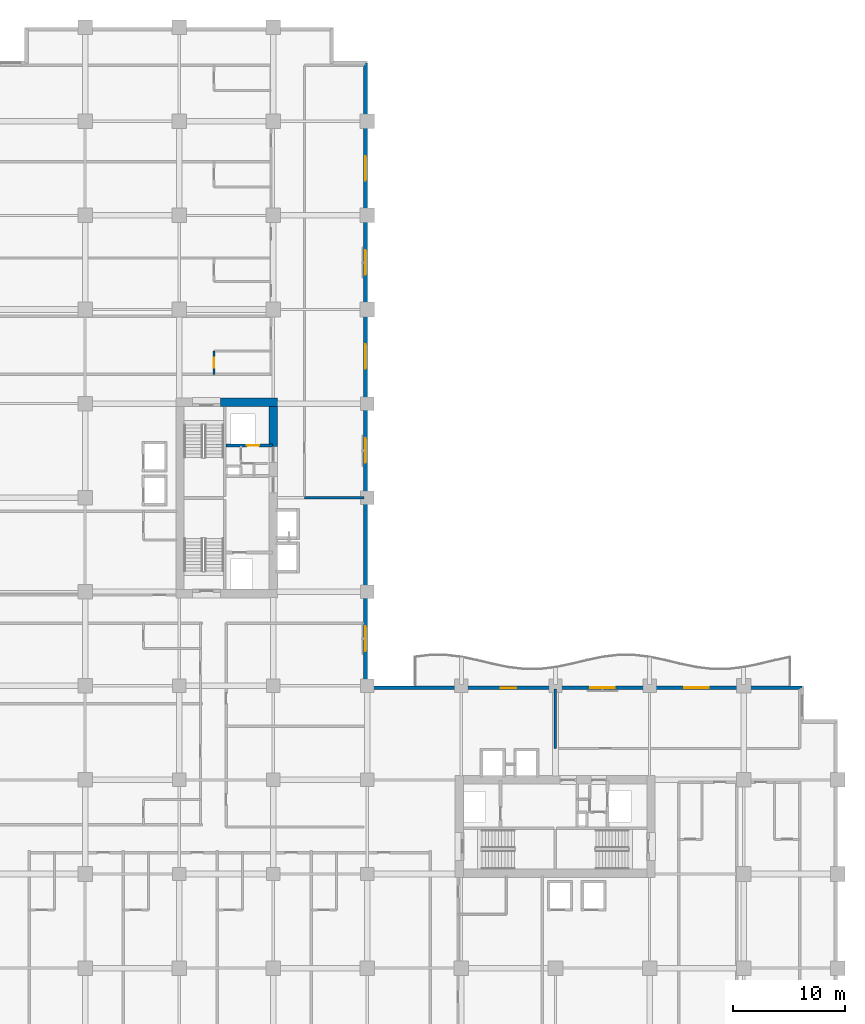
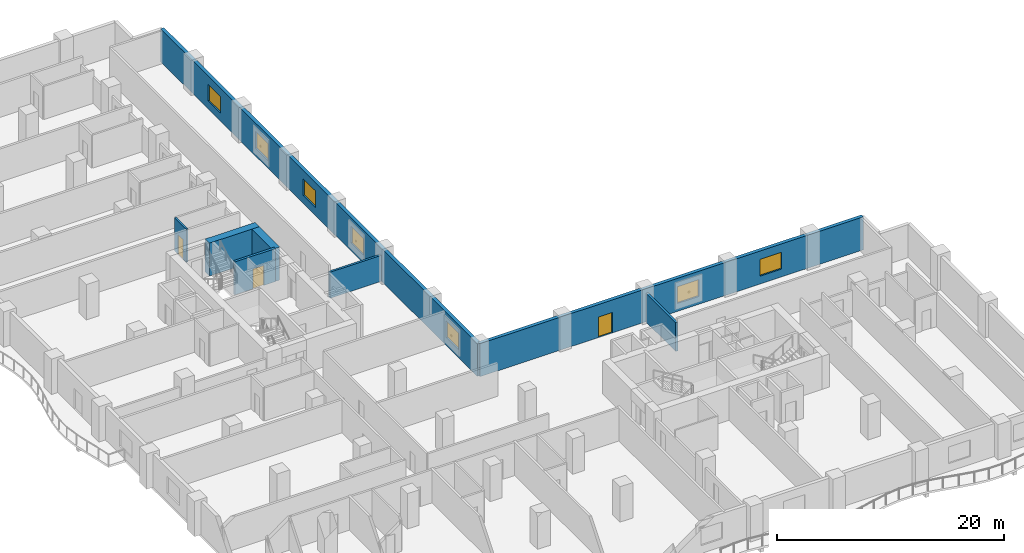
# One storey, part 9 of 18: 8 walls, 7 windows, 3 doors, 10 openings.
"""IFC4 building model written with IfcOpenShell, lengths in metres."""

from ifc_helpers import new_model, si_unit, direction, frame, frame_2d, origin, place, context, subcontext, project, spatial, rectangle, extrude, material, layer, layer_set, type_object, element, fill, save


model = new_model("IFC4")

# Units and contexts
model_context = context("Model", 3, precision=1e-05, world=origin(), true_north=direction((0.0, 1.0)))
body_context = subcontext(model_context, "Body", "Model", "MODEL_VIEW")
ifc_project = project(units=[si_unit("LENGTHUNIT", "METRE"), si_unit("AREAUNIT", "SQUARE_METRE"), si_unit("VOLUMEUNIT", "CUBIC_METRE"), si_unit("PLANEANGLEUNIT", "RADIAN"), si_unit("MASSUNIT", "GRAM", prefix="KILO")], contexts=[model_context])

# Site, building, storey
site_placement = place(None, origin())
site = spatial("IfcSite", under=ifc_project, at=site_placement, CompositionType="ELEMENT")
building_placement = place(site_placement, origin())
building = spatial("IfcBuilding", under=site, at=building_placement, Name="Koriwani Terraces Tower", CompositionType="ELEMENT")
storey_placement = place(building_placement, frame((0.0, 0.0, 100.0)))
storey = spatial("IfcBuildingStorey", under=building, at=storey_placement, Name="L23", CompositionType="ELEMENT", Elevation=100.0)

# Walls
ifc_material_1 = material(Name="Concrete C60/75", Category="concrete")
ifc_layer_1 = layer(ifc_material_1, 0.75, Name="Concrete C60/75")
ifc_layer_set_1 = layer_set([ifc_layer_1], Name="Concrete C60/75")
wall_type_1 = type_object("IfcWallType", Name="WALL_CORE_RC_750", PredefinedType="SHEAR", material=ifc_layer_set_1)
wall_1_placement = place(storey_placement, frame((20.5, 58.925048828125, 0.0), z_axis=(0.0, 0.0, 1.0), x_axis=(1.0, 0.0, 0.0)))
element("IfcWall", 1, at=wall_1_placement, inside=storey, type_object=wall_type_1, Name="L23 West Split Core Shear Wall N2", PredefinedType="SHEAR", context=body_context, shape_type="SweptSolid", body=[
    extrude(rectangle(XDim=5.074951171875, YDim=0.75, at=frame_2d((2.53759765625, 0.0))), origin(), (0.0, 0.0, 1.0), 3.550048828125),
])
wall_2_placement = place(storey_placement, frame((25.199951171875, 54.949951171875, 0.0), z_axis=(0.0, 0.0, 1.0), x_axis=(0.0, 1.0, 0.0)))
element("IfcWall", 2, at=wall_2_placement, inside=storey, type_object=wall_type_1, Name="L23 West Split Core Shear Wall E3", PredefinedType="SHEAR", context=body_context, shape_type="SweptSolid", body=[
    extrude(rectangle(XDim=3.60009765625, YDim=0.75, at=frame_2d((1.800048828125, 0.0))), origin(), (0.0, 0.0, 1.0), 3.550048828125),
])
ifc_material_2 = material(Name="Autoclaved Cellular Concrete Blockwork", Category="masonry")
ifc_layer_2 = layer(ifc_material_2, 0.219970703125, Name="Autoclaved Cellular Concrete Blockwork")
ifc_layer_set_2 = layer_set([ifc_layer_2], Name="Autoclaved Cellular Concrete Blockwork")
wall_type_2 = type_object("IfcWallType", Name="WALL_DEMISING_220", PredefinedType="PARTITIONING", material=ifc_layer_set_2)
wall_3_placement = place(storey_placement, frame((28.0, 50.39990234375, 0.0), z_axis=(0.0, 0.0, 1.0), x_axis=(1.0, 0.0, 0.0)))
element("IfcWall", 3, at=wall_3_placement, inside=storey, type_object=wall_type_2, Name="L23 Interior Wall WNEC-S-L23", PredefinedType="PARTITIONING", context=body_context, shape_type="SweptSolid", body=[
    extrude(rectangle(XDim=5.300048828125, YDim=0.219970703125, at=frame_2d((2.64990234375, 0.0))), origin(), (0.0, 0.0, 1.0), 2.800048828125),
])
wall_4_placement = place(storey_placement, frame((50.39990234375, 28.0, 0.0), z_axis=(0.0, 0.0, 1.0), x_axis=(0.0, 1.0, 0.0)))
element("IfcWall", 4, at=wall_4_placement, inside=storey, type_object=wall_type_2, Name="L23 Interior Wall WSEC-W-L23", PredefinedType="PARTITIONING", context=body_context, shape_type="SweptSolid", body=[
    extrude(rectangle(XDim=5.300048828125, YDim=0.219970703125, at=frame_2d((2.64990234375, 0.0))), origin(), (0.0, 0.0, 1.0), 3.0869140625),
])

# Wall, openings, windows
ifc_material_3 = material(Name="Concrete C50/60", Category="concrete")
ifc_layer_3 = layer(ifc_material_3, 0.35009765625, Name="Concrete C50/60")
ifc_layer_set_3 = layer_set([ifc_layer_3], Name="Concrete C50/60")
wall_type_3 = type_object("IfcWallType", Name="WALL_EXT_BRUTALIST_350", PredefinedType="STANDARD", material=ifc_layer_set_3)
wall_5_placement = place(storey_placement, frame((33.425048828125, 89.22509765625, 0.0), z_axis=(0.0, 0.0, 1.0), x_axis=(0.0, -1.0, 0.0)))
wall_5 = element("IfcWall", 5, at=wall_5_placement, inside=storey, type_object=wall_type_3, Name="L23 Fair-Faced Brutalist Exterior Wall (NW_IN)", PredefinedType="STANDARD", context=body_context, shape_type="SweptSolid", body=[
    extrude(rectangle(XDim=55.800048828125, YDim=0.35009765625, at=frame_2d((27.89990234375, 0.0))), origin(), (0.0, 0.0, 1.0), 3.550048828125),
])
opening_1_placement = place(wall_5_placement, frame((50.324951171875, 0.0, 0.85009765625)))
opening_1 = element("IfcOpeningElement", 6, at=opening_1_placement, cuts=wall_5, Name="Opening W-01", PredefinedType="OPENING", context=body_context, shape_type="SweptSolid", body=[
    extrude(rectangle(XDim=2.199951171875, YDim=1.800048828125, at=frame_2d((1.10009765625, 0.89990234375))), frame((0.0, 0.18505859375, 0.0), z_axis=(0.0, -1.0, 0.0), x_axis=(1.0, 0.0, 0.0)), (0.0, 0.0, 1.0), 0.3701171875),
])
opening_2_placement = place(wall_5_placement, frame((33.52490234375, 0.0, 0.85009765625)))
opening_2 = element("IfcOpeningElement", 7, at=opening_2_placement, cuts=wall_5, Name="Opening W-01", PredefinedType="OPENING", context=body_context, shape_type="SweptSolid", body=[
    extrude(rectangle(XDim=2.199951171875, YDim=1.800048828125, at=frame_2d((1.10009765625, 0.89990234375))), frame((0.0, 0.18505859375, 0.0), z_axis=(0.0, -1.0, 0.0), x_axis=(1.0, 0.0, 0.0)), (0.0, 0.0, 1.0), 0.3701171875),
])
opening_3_placement = place(wall_5_placement, frame((25.125, 0.0, 0.85009765625)))
opening_3 = element("IfcOpeningElement", 8, at=opening_3_placement, cuts=wall_5, Name="Opening W-01", PredefinedType="OPENING", context=body_context, shape_type="SweptSolid", body=[
    extrude(rectangle(XDim=2.199951171875, YDim=1.800048828125, at=frame_2d((1.10009765625, 0.89990234375))), frame((0.0, 0.18505859375, 0.0), z_axis=(0.0, -1.0, 0.0), x_axis=(1.0, 0.0, 0.0)), (0.0, 0.0, 1.0), 0.3701171875),
])
opening_4_placement = place(wall_5_placement, frame((16.72509765625, 0.0, 0.85009765625)))
opening_4 = element("IfcOpeningElement", 9, at=opening_4_placement, cuts=wall_5, Name="Opening W-01", PredefinedType="OPENING", context=body_context, shape_type="SweptSolid", body=[
    extrude(rectangle(XDim=2.199951171875, YDim=1.800048828125, at=frame_2d((1.10009765625, 0.89990234375))), frame((0.0, 0.18505859375, 0.0), z_axis=(0.0, -1.0, 0.0), x_axis=(1.0, 0.0, 0.0)), (0.0, 0.0, 1.0), 0.3701171875),
])
opening_5_placement = place(wall_5_placement, frame((8.324951171875, 0.0, 0.85009765625)))
opening_5 = element("IfcOpeningElement", 10, at=opening_5_placement, cuts=wall_5, Name="Opening W-01", PredefinedType="OPENING", context=body_context, shape_type="SweptSolid", body=[
    extrude(rectangle(XDim=2.199951171875, YDim=1.800048828125, at=frame_2d((1.10009765625, 0.89990234375))), frame((0.0, 0.18505859375, 0.0), z_axis=(0.0, -1.0, 0.0), x_axis=(1.0, 0.0, 0.0)), (0.0, 0.0, 1.0), 0.3701171875),
])
ifc_material_4 = material(Name="Tempered Laminated Low-E Glass", Category="glass")
window_type = type_object("IfcWindowType", Name="WIN_HOTEL_STD_2200X1800", PartitioningType="DOUBLE_PANEL_VERTICAL", PredefinedType="WINDOW", material=ifc_material_4)
window_1_placement = place(opening_1_placement, origin())
window_1 = element("IfcWindow", 11, at=window_1_placement, inside=storey, type_object=window_type, Name="L23 Exterior Window (NW_IN-2)", OverallHeight=1.800048828125, OverallWidth=2.199951171875, PartitioningType="SINGLE_PANEL", PredefinedType="WINDOW", context=body_context, shape_type="SweptSolid", body=[
    extrude(rectangle(XDim=2.199951171875, YDim=1.800048828125, at=frame_2d((1.10009765625, 0.89990234375))), frame((0.0, 0.030029296875, 0.0), z_axis=(0.0, -1.0, 0.0), x_axis=(1.0, 0.0, 0.0)), (0.0, 0.0, 1.0), 0.06005859375),
])
fill(opening_1, window_1)
window_2_placement = place(opening_2_placement, origin())
window_2 = element("IfcWindow", 12, at=window_2_placement, inside=storey, type_object=window_type, Name="L23 Exterior Window (NW_IN-8)", OverallHeight=1.800048828125, OverallWidth=2.199951171875, PartitioningType="SINGLE_PANEL", PredefinedType="WINDOW", context=body_context, shape_type="SweptSolid", body=[
    extrude(rectangle(XDim=2.199951171875, YDim=1.800048828125, at=frame_2d((1.10009765625, 0.89990234375))), frame((0.0, 0.030029296875, 0.0), z_axis=(0.0, -1.0, 0.0), x_axis=(1.0, 0.0, 0.0)), (0.0, 0.0, 1.0), 0.06005859375),
])
fill(opening_2, window_2)
window_3_placement = place(opening_3_placement, origin())
window_3 = element("IfcWindow", 13, at=window_3_placement, inside=storey, type_object=window_type, Name="L23 Exterior Window (NW_IN-11)", OverallHeight=1.800048828125, OverallWidth=2.199951171875, PartitioningType="SINGLE_PANEL", PredefinedType="WINDOW", context=body_context, shape_type="SweptSolid", body=[
    extrude(rectangle(XDim=2.199951171875, YDim=1.800048828125, at=frame_2d((1.10009765625, 0.89990234375))), frame((0.0, 0.030029296875, 0.0), z_axis=(0.0, -1.0, 0.0), x_axis=(1.0, 0.0, 0.0)), (0.0, 0.0, 1.0), 0.06005859375),
])
fill(opening_3, window_3)
window_4_placement = place(opening_4_placement, origin())
window_4 = element("IfcWindow", 14, at=window_4_placement, inside=storey, type_object=window_type, Name="L23 Exterior Window (NW_IN-14)", OverallHeight=1.800048828125, OverallWidth=2.199951171875, PartitioningType="SINGLE_PANEL", PredefinedType="WINDOW", context=body_context, shape_type="SweptSolid", body=[
    extrude(rectangle(XDim=2.199951171875, YDim=1.800048828125, at=frame_2d((1.10009765625, 0.89990234375))), frame((0.0, 0.030029296875, 0.0), z_axis=(0.0, -1.0, 0.0), x_axis=(1.0, 0.0, 0.0)), (0.0, 0.0, 1.0), 0.06005859375),
])
fill(opening_4, window_4)
window_5_placement = place(opening_5_placement, origin())
window_5 = element("IfcWindow", 15, at=window_5_placement, inside=storey, type_object=window_type, Name="L23 Exterior Window (NW_IN-17)", OverallHeight=1.800048828125, OverallWidth=2.199951171875, PartitioningType="SINGLE_PANEL", PredefinedType="WINDOW", context=body_context, shape_type="SweptSolid", body=[
    extrude(rectangle(XDim=2.199951171875, YDim=1.800048828125, at=frame_2d((1.10009765625, 0.89990234375))), frame((0.0, 0.030029296875, 0.0), z_axis=(0.0, -1.0, 0.0), x_axis=(1.0, 0.0, 0.0)), (0.0, 0.0, 1.0), 0.06005859375),
])
fill(opening_5, window_5)

# Wall, openings, door, windows
wall_6_placement = place(storey_placement, frame((33.425048828125, 33.425048828125, 0.0), z_axis=(0.0, 0.0, 1.0), x_axis=(1.0, 0.0, 0.0)))
wall_6 = element("IfcWall", 16, at=wall_6_placement, inside=storey, type_object=wall_type_3, Name="L23 Fair-Faced Brutalist Exterior Wall (NE)", PredefinedType="STANDARD", context=body_context, shape_type="SweptSolid", body=[
    extrude(rectangle(XDim=39.0, YDim=0.35009765625, at=frame_2d((19.5, 0.0))), origin(), (0.0, 0.0, 1.0), 3.550048828125),
])
opening_6_placement = place(wall_6_placement, frame((12.074951171875, 0.0, 0.0)))
opening_6 = element("IfcOpeningElement", 17, at=opening_6_placement, cuts=wall_6, Name="Opening D-09", PredefinedType="OPENING", context=body_context, shape_type="SweptSolid", body=[
    extrude(rectangle(XDim=1.39990234375, YDim=2.199951171875, at=frame_2d((0.699951171875, 1.10009765625))), frame((0.0, 0.18505859375, 0.0), z_axis=(0.0, -1.0, 0.0), x_axis=(1.0, 0.0, 0.0)), (0.0, 0.0, 1.0), 0.3701171875),
])
opening_7_placement = place(wall_6_placement, frame((20.074951171875, 0.0, 0.85009765625)))
opening_7 = element("IfcOpeningElement", 18, at=opening_7_placement, cuts=wall_6, Name="Opening W-01", PredefinedType="OPENING", context=body_context, shape_type="SweptSolid", body=[
    extrude(rectangle(XDim=2.199951171875, YDim=1.800048828125, at=frame_2d((1.10009765625, 0.89990234375))), frame((0.0, 0.18505859375, 0.0), z_axis=(0.0, -1.0, 0.0), x_axis=(1.0, 0.0, 0.0)), (0.0, 0.0, 1.0), 0.3701171875),
])
opening_8_placement = place(wall_6_placement, frame((28.47509765625, 0.0, 0.85009765625)))
opening_8 = element("IfcOpeningElement", 19, at=opening_8_placement, cuts=wall_6, Name="Opening W-01", PredefinedType="OPENING", context=body_context, shape_type="SweptSolid", body=[
    extrude(rectangle(XDim=2.199951171875, YDim=1.800048828125, at=frame_2d((1.10009765625, 0.89990234375))), frame((0.0, 0.18505859375, 0.0), z_axis=(0.0, -1.0, 0.0), x_axis=(1.0, 0.0, 0.0)), (0.0, 0.0, 1.0), 0.3701171875),
])
ifc_material_5 = material(Name="Anodised Bronze Aluminium", Category="aluminium")
door_type_1 = type_object("IfcDoorType", Name="DOOR_BALCONY_GLAZED_1400X2200", OperationType="NOTDEFINED", PredefinedType="DOOR", material=ifc_material_5)
door_1_placement = place(opening_6_placement, origin())
door_1 = element("IfcDoor", 20, at=door_1_placement, inside=storey, type_object=door_type_1, Name="L23 Inner Court Balcony Glazed Door", OperationType="SINGLE_SWING_LEFT", OverallHeight=2.199951171875, OverallWidth=1.39990234375, PredefinedType="DOOR", context=body_context, shape_type="SweptSolid", body=[
    extrude(rectangle(XDim=1.39990234375, YDim=2.199951171875, at=frame_2d((0.699951171875, 1.10009765625))), frame((0.0, 0.02490234375, 0.0), z_axis=(0.0, -1.0, 0.0), x_axis=(1.0, 0.0, 0.0)), (0.0, 0.0, 1.0), 0.050048828125),
])
fill(opening_6, door_1)
window_6_placement = place(opening_7_placement, origin())
window_6 = element("IfcWindow", 21, at=window_6_placement, inside=storey, type_object=window_type, Name="L23 Exterior Window (NE-8)", OverallHeight=1.800048828125, OverallWidth=2.199951171875, PartitioningType="SINGLE_PANEL", PredefinedType="WINDOW", context=body_context, shape_type="SweptSolid", body=[
    extrude(rectangle(XDim=2.199951171875, YDim=1.800048828125, at=frame_2d((1.10009765625, 0.89990234375))), frame((0.0, 0.030029296875, 0.0), z_axis=(0.0, -1.0, 0.0), x_axis=(1.0, 0.0, 0.0)), (0.0, 0.0, 1.0), 0.06005859375),
])
fill(opening_7, window_6)
window_7_placement = place(opening_8_placement, origin())
window_7 = element("IfcWindow", 22, at=window_7_placement, inside=storey, type_object=window_type, Name="L23 Exterior Window (NE-11)", OverallHeight=1.800048828125, OverallWidth=2.199951171875, PartitioningType="SINGLE_PANEL", PredefinedType="WINDOW", context=body_context, shape_type="SweptSolid", body=[
    extrude(rectangle(XDim=2.199951171875, YDim=1.800048828125, at=frame_2d((1.10009765625, 0.89990234375))), frame((0.0, 0.030029296875, 0.0), z_axis=(0.0, -1.0, 0.0), x_axis=(1.0, 0.0, 0.0)), (0.0, 0.0, 1.0), 0.06005859375),
])
fill(opening_8, window_7)

# Wall, opening, door
ifc_material_6 = material(Name="Fire-Rated Acoustic Gypsum Partition", Category="masonry")
ifc_layer_4 = layer(ifc_material_6, 0.179931640625, Name="Fire-Rated Acoustic Gypsum Partition")
ifc_layer_set_4 = layer_set([ifc_layer_4], Name="Fire-Rated Acoustic Gypsum Partition")
wall_type_4 = type_object("IfcWallType", Name="WALL_PLUMBING_180", PredefinedType="PLUMBINGWALL", material=ifc_layer_set_4)
wall_7_placement = place(storey_placement, frame((19.89990234375, 61.39990234375, 0.0), z_axis=(0.0, 0.0, 1.0), x_axis=(0.0, 1.0, 0.0)))
wall_7 = element("IfcWall", 23, at=wall_7_placement, inside=storey, type_object=wall_type_4, Name="L23 Interior Wall WBTH1-L23-NE-0", PredefinedType="PLUMBINGWALL", context=body_context, shape_type="SweptSolid", body=[
    extrude(rectangle(XDim=2.080078125, YDim=0.179931640625, at=frame_2d((1.0400390625, 0.0))), origin(), (0.0, 0.0, 1.0), 3.550048828125),
])
opening_9_placement = place(wall_7_placement, frame((0.590087890625, 0.0, 0.0)))
opening_9 = element("IfcOpeningElement", 24, at=opening_9_placement, cuts=wall_7, Name="Opening D-07", PredefinedType="OPENING", context=body_context, shape_type="SweptSolid", body=[
    extrude(rectangle(XDim=0.89990234375, YDim=2.10009765625, at=frame_2d((0.449951171875, 1.050048828125))), frame((0.0, 0.10009765625, 0.0), z_axis=(0.0, -1.0, 0.0), x_axis=(1.0, 0.0, 0.0)), (0.0, 0.0, 1.0), 0.199951171875),
])
ifc_material_7 = material(Name="Architectural Oak Fire Door", Category="wood")
door_type_2 = type_object("IfcDoorType", Name="DOOR_BATH_INT_900X2100", OperationType="NOTDEFINED", PredefinedType="DOOR", material=ifc_material_7)
door_2_placement = place(opening_9_placement, origin())
door_2 = element("IfcDoor", 25, at=door_2_placement, inside=storey, type_object=door_type_2, Name="En-Suite Bathroom 23NE1 Door", OperationType="SINGLE_SWING_RIGHT", OverallHeight=2.10009765625, OverallWidth=0.89990234375, PredefinedType="DOOR", context=body_context, shape_type="SweptSolid", body=[
    extrude(rectangle(XDim=0.89990234375, YDim=2.10009765625, at=frame_2d((0.449951171875, 1.050048828125))), frame((0.0, 0.02490234375, 0.0), z_axis=(0.0, -1.0, 0.0), x_axis=(1.0, 0.0, 0.0)), (0.0, 0.0, 1.0), 0.050048828125),
])
fill(opening_9, door_2)

ifc_material_8 = material(Name="Concrete C40/50", Category="concrete")
ifc_layer_5 = layer(ifc_material_8, 0.25, Name="Concrete C40/50")
ifc_layer_set_5 = layer_set([ifc_layer_5], Name="Concrete C40/50")
wall_type_5 = type_object("IfcWallType", Name="WALL_SHAFT_RATED_250", PredefinedType="SOLIDWALL", material=ifc_layer_set_5)
wall_8_placement = place(storey_placement, frame((21.0, 55.050048828125, 0.0), z_axis=(0.0, 0.0, 1.0), x_axis=(1.0, 0.0, 0.0)))
wall_8 = element("IfcWall", 26, at=wall_8_placement, inside=storey, type_object=wall_type_5, Name="L23 Interior Wall WIN-CW-L23-SE", PredefinedType="SOLIDWALL", context=body_context, shape_type="SweptSolid", body=[
    extrude(rectangle(XDim=4.14990234375, YDim=0.25, at=frame_2d((2.074951171875, 0.0))), origin(), (0.0, 0.0, 1.0), 3.550048828125),
])
opening_10_placement = place(wall_8_placement, frame((1.85009765625, 0.0, 0.0)))
opening_10 = element("IfcOpeningElement", 27, at=opening_10_placement, cuts=wall_8, Name="Opening LD-01", PredefinedType="OPENING", context=body_context, shape_type="SweptSolid", body=[
    extrude(rectangle(XDim=1.10009765625, YDim=2.14990234375, at=frame_2d((0.550048828125, 1.074951171875))), frame((0.0, 0.135009765625, 0.0), z_axis=(0.0, -1.0, 0.0), x_axis=(1.0, 0.0, 0.0)), (0.0, 0.0, 1.0), 0.27001953125),
])
ifc_material_9 = material(Name="Steel ASTM A572 Grade 50", Category="steel")
door_type_3 = type_object("IfcDoorType", Name="DOOR_LIFT_LANDING_1100X2200", OperationType="NOTDEFINED", PredefinedType="DOOR", material=ifc_material_9)
door_3_placement = place(opening_10_placement, origin())
door_3 = element("IfcDoor", 28, at=door_3_placement, inside=storey, type_object=door_type_3, Name="L23 Goods Lift SE-01 Landing Door", OperationType="SLIDING_TO_LEFT", OverallHeight=2.14990234375, OverallWidth=1.10009765625, PredefinedType="DOOR", context=body_context, shape_type="SweptSolid", body=[
    extrude(rectangle(XDim=1.10009765625, YDim=2.14990234375, at=frame_2d((0.550048828125, 1.074951171875))), frame((0.0, 0.02490234375, 0.0), z_axis=(0.0, -1.0, 0.0), x_axis=(1.0, 0.0, 0.0)), (0.0, 0.0, 1.0), 0.050048828125),
])
fill(opening_10, door_3)

save(model, "model.ifc")
